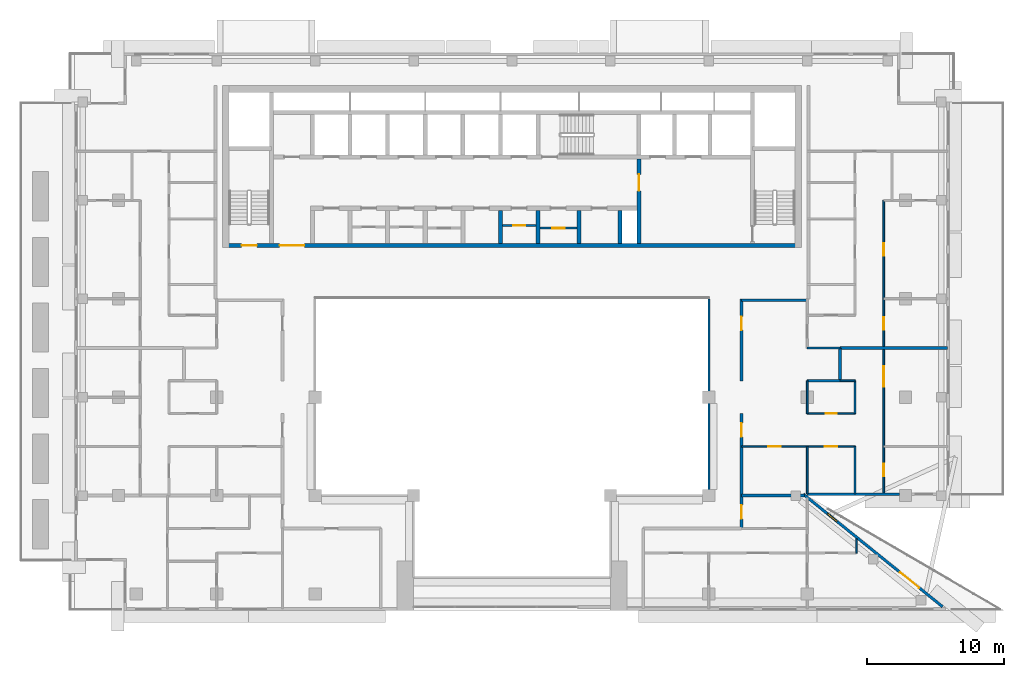
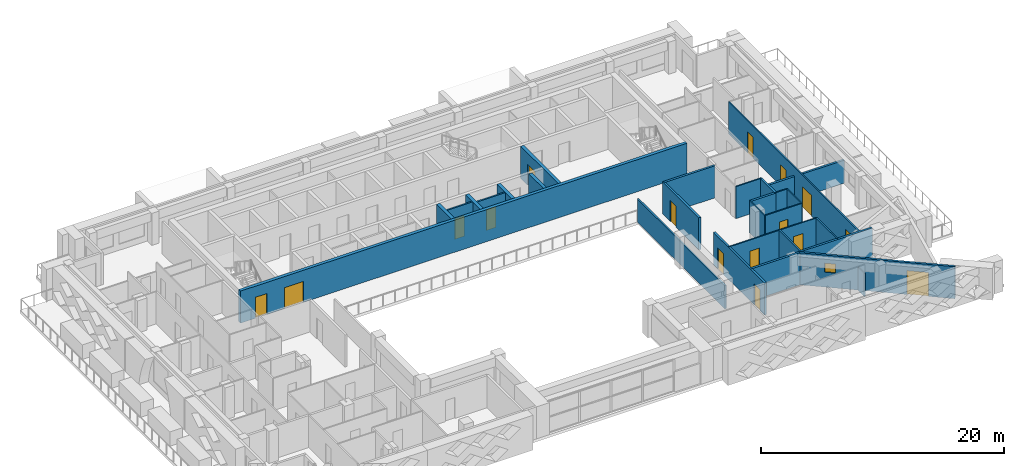
# One storey, part 9 of 19: 28 walls, 16 doors, 1 window, 17 openings.
"""IFC4 building model written with IfcOpenShell, lengths in metres."""

import ifcopenshell
import ifcopenshell.guid

model = None  # the IFC model being written
_history = None  # IfcOwnerHistory: only IFC2X3 demands one
_inside = {}  # id of a spatial element -> (the spatial element, [elements in it])
_under = {}  # id of a project, library or spatial element -> (it, [spatial elements below it])
_declared = {}  # id of a project -> (the project, [libraries it declares])
_typed = {}  # id of a type object -> (the type object, [elements of that type])
_made_of = {}  # id of a material, layer set ... -> (it, [elements and type objects made of it])


def new_model(schema):
    """Start an empty IFC model of exactly this schema.

    Asked for "IFC4X3", IfcOpenShell would pick the latest addendum, in which some entities
    have other attributes; the version numbers below select the first issue.
    IFC2X3 requires an IfcOwnerHistory on every rooted entity: one is made here for all.
    """
    global model, _history
    if schema == "IFC4X3":
        model = ifcopenshell.file(schema_version=(4, 3, 0, 0))
    else:
        model = ifcopenshell.file(schema=schema)
    _inside.clear()
    _under.clear()
    _declared.clear()
    _typed.clear()
    _made_of.clear()
    _history = None
    if model.schema == "IFC2X3":
        org = make("IfcOrganization", Name="unknown")
        user = make(
            "IfcPersonAndOrganization",
            ThePerson=make("IfcPerson", FamilyName="unknown"),
            TheOrganization=org,
        )
        app = make(
            "IfcApplication",
            ApplicationDeveloper=org,
            Version="unknown",
            ApplicationFullName="unknown",
            ApplicationIdentifier="unknown",
        )
        _history = make(
            "IfcOwnerHistory",
            OwningUser=user,
            OwningApplication=app,
            ChangeAction="ADDED",
            CreationDate=0,
        )
    return model


def make(cls, **values):
    """One entity of the class cls with the attributes given. An attribute that is None is left unset."""
    return model.create_entity(
        cls, **{name: value for name, value in values.items() if value is not None}
    )


def rooted(cls, **values):
    """An entity with a GlobalId (a new one), such as an element, a storey or a relation."""
    return make(cls, GlobalId=ifcopenshell.guid.new(), OwnerHistory=_history, **values)


def si_unit(unit_type, name, prefix=None):
    """IfcSIUnit, for example si_unit("LENGTHUNIT", "METRE", prefix="MILLI")."""
    return make("IfcSIUnit", UnitType=unit_type, Prefix=prefix, Name=name)


def assignment(units):
    """IfcUnitAssignment: the units of a project."""
    return None if units is None else make("IfcUnitAssignment", Units=units)


def point(xyz):
    """IfcCartesianPoint."""
    return None if xyz is None else make("IfcCartesianPoint", Coordinates=xyz)


def direction(xyz):
    """IfcDirection."""
    return None if xyz is None else make("IfcDirection", DirectionRatios=xyz)


def frame(location, z_axis=None, x_axis=None):
    """IfcAxis2Placement3D, a coordinate frame: its origin and axes. An axis left out is left unset."""
    return make(
        "IfcAxis2Placement3D",
        Location=point(location),
        Axis=direction(z_axis),
        RefDirection=direction(x_axis),
    )


def frame_2d(location, x_axis=None):
    """IfcAxis2Placement2D, a coordinate frame in the plane: its origin and x axis."""
    return make(
        "IfcAxis2Placement2D", Location=point(location), RefDirection=direction(x_axis)
    )


def origin():
    """The frame at (0, 0, 0) with its axes left unset."""
    return frame((0.0, 0.0, 0.0))


def place(relative_to, where):
    """IfcLocalPlacement: puts the frame where relative to a parent placement (None: the world)."""
    return make(
        "IfcLocalPlacement", PlacementRelTo=relative_to, RelativePlacement=where
    )


def context(
    kind, dimensions, precision=None, world=None, true_north=None, identifier=None
):
    """IfcGeometricRepresentationContext, for example the 3D "Model" context."""
    return make(
        "IfcGeometricRepresentationContext",
        ContextIdentifier=identifier,
        ContextType=kind,
        CoordinateSpaceDimension=dimensions,
        Precision=precision,
        WorldCoordinateSystem=world,
        TrueNorth=true_north,
    )


def subcontext(parent, identifier, kind, view, scale=None):
    """IfcGeometricRepresentationSubContext, for example "Body" below "Model"."""
    return make(
        "IfcGeometricRepresentationSubContext",
        ContextIdentifier=identifier,
        ContextType=kind,
        ParentContext=parent,
        TargetScale=scale,
        TargetView=view,
    )


def project(units=None, contexts=None):
    """IfcProject with its units and contexts."""
    return rooted(
        "IfcProject",
        Name="project",
        RepresentationContexts=contexts,
        UnitsInContext=assignment(units),
    )


def spatial(cls, under=None, at=None, **own):
    """A site, building, storey or space (cls), placed at a placement, below another one or the project."""
    s = rooted(cls, ObjectPlacement=at, **own)
    if under is not None:
        _under.setdefault(under.id(), (under, []))[1].append(s)
    return s


def profile(cls, at=None, kind="AREA", **sizes):
    """A parametric profile (cls). Its sizes go by their IFC names, for example OverallWidth=200.0."""
    return make(cls, ProfileType=kind, Position=at, **sizes)


def rectangle(**sizes):
    """IfcRectangleProfileDef."""
    return profile("IfcRectangleProfileDef", **sizes)


def extrude(swept, where, along, depth):
    """IfcExtrudedAreaSolid: the profile swept, set in the frame where, extruded along a direction by depth."""
    return make(
        "IfcExtrudedAreaSolid",
        SweptArea=swept,
        Position=where,
        ExtrudedDirection=direction(along),
        Depth=depth,
    )


def shape(context_of_items, identifier, shape_type, items):
    """IfcShapeRepresentation: the items that make up one representation, for example the "Body"."""
    return make(
        "IfcShapeRepresentation",
        ContextOfItems=context_of_items,
        RepresentationIdentifier=identifier,
        RepresentationType=shape_type,
        Items=items,
    )


def material(Name=None, Category=None):
    """IfcMaterial."""
    return make("IfcMaterial", Name=Name, Category=Category)


def layer(
    of_material, thickness, ventilated=None, Name=None, Category=None, Priority=None
):
    """IfcMaterialLayer: one layer of a wall or slab, of a material (None: an air gap)."""
    return make(
        "IfcMaterialLayer",
        Material=of_material,
        LayerThickness=thickness,
        IsVentilated=ventilated,
        Name=Name,
        Category=Category,
        Priority=Priority,
    )


def layer_set(layers, Name=None):
    """IfcMaterialLayerSet."""
    return make("IfcMaterialLayerSet", MaterialLayers=layers, LayerSetName=Name)


def made_of(thing, what):
    """Note that an element or type object is made of a material, layer set ...; save() writes the relation."""
    if what is not None:
        _made_of.setdefault(what.id(), (what, []))[1].append(thing)
    return thing


def type_object(cls, material=None, **own):
    """A type object (cls), such as IfcWallType, which elements share."""
    return made_of(rooted(cls, **own), material)


def element(
    cls,
    number,
    at=None,
    inside=None,
    cuts=None,
    type_object=None,
    material=None,
    context=None,
    identifier="Body",
    shape_type=None,
    held_by="IfcProductDefinitionShape",
    body=None,
    shapes=None,
    **own,
):
    """One element of the class cls, such as IfcWall. Its Tag is "e" and its number.

    at: its placement. inside: the storey or other place that contains it. cuts: it is an
    opening in that element (IfcRelVoidsElement). A single representation is given by context,
    identifier, shape_type and body (its items); several are given by shapes. held_by: the class
    of the entity that holds the representations. save() writes the other relations.
    """
    e = rooted(cls, Tag="e%d" % number, ObjectPlacement=at, **own)
    if body is not None:
        shapes = [shape(context, identifier, shape_type, body)]
    if shapes is not None:
        e.Representation = make(held_by, Representations=shapes)
    if inside is not None:
        _inside.setdefault(inside.id(), (inside, []))[1].append(e)
    if cuts is not None:
        rooted(
            "IfcRelVoidsElement", RelatingBuildingElement=cuts, RelatedOpeningElement=e
        )
    if type_object is not None:
        _typed.setdefault(type_object.id(), (type_object, []))[1].append(e)
    return made_of(e, material)


def fill(opening, filler):
    """IfcRelFillsElement: the door or window that sits in an opening."""
    return rooted(
        "IfcRelFillsElement",
        RelatingOpeningElement=opening,
        RelatedBuildingElement=filler,
    )


def aggregate(whole, parts):
    """IfcRelAggregates: a whole, such as a stair, and the parts it consists of."""
    return rooted("IfcRelAggregates", RelatingObject=whole, RelatedObjects=parts)


def save(model, path):
    """Write the relations noted so far, then the file.

    IfcRelAggregates (storeys below a building ...), IfcRelContainedInSpatialStructure (elements
    in a storey), IfcRelDefinesByType, IfcRelAssociatesMaterial and IfcRelDeclares: one each for
    every whole, place, type object, material and project.
    """
    for whole, parts in _under.values():
        aggregate(whole, parts)
    for where, things in _inside.values():
        rooted(
            "IfcRelContainedInSpatialStructure",
            RelatedElements=things,
            RelatingStructure=where,
        )
    for kind, things in _typed.values():
        rooted("IfcRelDefinesByType", RelatedObjects=things, RelatingType=kind)
    for what, things in _made_of.values():
        rooted("IfcRelAssociatesMaterial", RelatedObjects=things, RelatingMaterial=what)
    for by, libraries in _declared.values():
        rooted("IfcRelDeclares", RelatingContext=by, RelatedDefinitions=libraries)
    model.write(path)


model = new_model("IFC4")

# Units and contexts
model_context = context("Model", 3, precision=1e-05, world=origin(), true_north=direction((0.0, 1.0)))
body_context = subcontext(model_context, "Body", "Model", "MODEL_VIEW")
ifc_project = project(units=[si_unit("LENGTHUNIT", "METRE"), si_unit("AREAUNIT", "SQUARE_METRE"), si_unit("VOLUMEUNIT", "CUBIC_METRE"), si_unit("PLANEANGLEUNIT", "RADIAN"), si_unit("MASSUNIT", "GRAM", prefix="KILO")], contexts=[model_context])

# Site, building, storey
site_placement = place(None, origin())
site = spatial("IfcSite", under=ifc_project, at=site_placement, CompositionType="ELEMENT")
building_placement = place(site_placement, origin())
building = spatial("IfcBuilding", under=site, at=building_placement, Name="Saffron Iwan Residences", CompositionType="ELEMENT")
storey_placement = place(building_placement, frame((0.0, 0.0, 211.5)))
storey = spatial("IfcBuildingStorey", under=building, at=storey_placement, Name="L56", CompositionType="ELEMENT", Elevation=211.5)

# Wall
ifc_material_1 = material(Name="Fire-rated glazing", Category="glass")
ifc_layer_1 = layer(ifc_material_1, 0.14990234375)
ifc_layer_set_1 = layer_set([ifc_layer_1], Name="Fire-rated glazing")
wall_type_1 = type_object("IfcWallType", Name="Atrium glazed screen 150", PredefinedType="SOLIDWALL", material=ifc_layer_set_1)
wall_1_placement = place(storey_placement, frame((64.800048828125, 48.0, 0.0), z_axis=(0.0, 0.0, 1.0), x_axis=(0.0, 1.0, 0.0)))
element("IfcWall", 1, at=wall_1_placement, inside=storey, type_object=wall_type_1, Name="W-L56-SCREEN-v64.8-48", PredefinedType="SOLIDWALL", context=body_context, shape_type="SweptSolid", body=[
    extrude(rectangle(XDim=14.39990234375, YDim=0.14990234375, at=frame_2d((7.199951171875, 0.0))), origin(), (0.0, 0.0, 1.0), 2.320068359375),
])

# Wall, opening, door
ifc_material_2 = material(Name="Fire-rated plasterboard partition")
ifc_layer_2 = layer(ifc_material_2, 0.14990234375)
ifc_layer_set_2 = layer_set([ifc_layer_2], Name="Fire-rated plasterboard partition")
wall_type_2 = type_object("IfcWallType", Name="Core partition 150", PredefinedType="PARTITIONING", material=ifc_layer_set_2)
wall_2_placement = place(storey_placement, frame((49.699951171875, 67.759521484375, 0.0), z_axis=(0.0, 0.0, 1.0), x_axis=(1.0, 0.0, 0.0)))
wall_2 = element("IfcWall", 2, at=wall_2_placement, inside=storey, type_object=wall_type_2, Name="Core partition P04", PredefinedType="PARTITIONING", context=body_context, shape_type="SweptSolid", body=[
    extrude(rectangle(XDim=2.449951171875, YDim=0.14990234375, at=frame_2d((1.22509765625, 0.0))), origin(), (0.0, 0.0, 1.0), 3.219970703125),
])
opening_1_placement = place(wall_2_placement, frame((0.77490234375, 0.0, 0.0)))
opening_1 = element("IfcOpeningElement", 3, at=opening_1_placement, cuts=wall_2, Name="Opening SB", PredefinedType="OPENING", context=body_context, shape_type="SweptSolid", body=[
    extrude(rectangle(XDim=0.89990234375, YDim=2.10009765625, at=frame_2d((0.449951171875, 1.050048828125))), frame((0.0, 0.0849609375, 0.0), z_axis=(0.0, -1.0, 0.0), x_axis=(1.0, 0.0, 0.0)), (0.0, 0.0, 1.0), 0.169921875),
])
ifc_material_3 = material(Name="Steel fire door", Category="steel")
door_type_1 = type_object("IfcDoorType", Name="Store door 900", OperationType="NOTDEFINED", PredefinedType="DOOR", material=ifc_material_3)
door_1_placement = place(opening_1_placement, origin())
door_1 = element("IfcDoor", 4, at=door_1_placement, inside=storey, type_object=door_type_1, Name="Door Equipment store", OperationType="SINGLE_SWING_RIGHT", OverallHeight=2.10009765625, OverallWidth=0.89990234375, PredefinedType="DOOR", context=body_context, shape_type="SweptSolid", body=[
    extrude(rectangle(XDim=0.89990234375, YDim=2.10009765625, at=frame_2d((0.449951171875, 1.050048828125))), frame((0.0, 0.02490234375, 0.0), z_axis=(0.0, -1.0, 0.0), x_axis=(1.0, 0.0, 0.0)), (0.0, 0.0, 1.0), 0.050048828125),
])
fill(opening_1, door_1)

wall_3_placement = place(storey_placement, frame((52.449951171875, 67.5654296875, 0.0), z_axis=(0.0, 0.0, 1.0), x_axis=(1.0, 0.0, 0.0)))
wall_3 = element("IfcWall", 5, at=wall_3_placement, inside=storey, type_object=wall_type_2, Name="Core partition P05", PredefinedType="PARTITIONING", context=body_context, shape_type="SweptSolid", body=[
    extrude(rectangle(XDim=2.699951171875, YDim=0.14990234375, at=frame_2d((1.35009765625, 0.0))), origin(), (0.0, 0.0, 1.0), 3.219970703125),
])
opening_2_placement = place(wall_3_placement, frame((0.89990234375, 0.0, 0.0)))
opening_2 = element("IfcOpeningElement", 6, at=opening_2_placement, cuts=wall_3, Name="Opening SB", PredefinedType="OPENING", context=body_context, shape_type="SweptSolid", body=[
    extrude(rectangle(XDim=0.89990234375, YDim=2.10009765625, at=frame_2d((0.449951171875, 1.050048828125))), frame((0.0, 0.0849609375, 0.0), z_axis=(0.0, -1.0, 0.0), x_axis=(1.0, 0.0, 0.0)), (0.0, 0.0, 1.0), 0.169921875),
])
door_2_placement = place(opening_2_placement, origin())
door_2 = element("IfcDoor", 7, at=door_2_placement, inside=storey, type_object=door_type_1, Name="Door Records store", OperationType="SINGLE_SWING_RIGHT", OverallHeight=2.10009765625, OverallWidth=0.89990234375, PredefinedType="DOOR", context=body_context, shape_type="SweptSolid", body=[
    extrude(rectangle(XDim=0.89990234375, YDim=2.10009765625, at=frame_2d((0.449951171875, 1.050048828125))), frame((0.0, 0.02490234375, 0.0), z_axis=(0.0, -1.0, 0.0), x_axis=(1.0, 0.0, 0.0)), (0.0, 0.0, 1.0), 0.050048828125),
])
fill(opening_2, door_2)

# Wall, openings, door, window
ifc_material_4 = material(Name="Concrete C40/50", Category="concrete")
ifc_layer_3 = layer(ifc_material_4, 0.199951171875)
ifc_layer_set_3 = layer_set([ifc_layer_3], Name="Concrete C40/50")
wall_type_3 = type_object("IfcWallType", Name="EXTERNAL WALL 200", PredefinedType="SOLIDWALL", material=ifc_layer_set_3)
wall_4_placement = place(storey_placement, frame((81.906982421875, 39.86962890625, 0.0), z_axis=(0.0, 0.0, 1.0), x_axis=(-0.777936274417, 0.62834318087, 0.0)))
wall_4 = element("IfcWall", 8, at=wall_4_placement, inside=storey, type_object=wall_type_3, Name="External wall L56 F0.0", PredefinedType="SOLIDWALL", context=body_context, shape_type="SweptSolid", body=[
    extrude(rectangle(XDim=13.0986328125, YDim=0.199951171875, at=frame_2d((6.54931640625, 0.0))), origin(), (0.0, 0.0, 1.0), 3.219970703125),
])
opening_3_placement = place(wall_4_placement, frame((2.200927734375, 0.0, 0.0)))
opening_3 = element("IfcOpeningElement", 9, at=opening_3_placement, cuts=wall_4, Name="Opening BD1", PredefinedType="OPENING", context=body_context, shape_type="SweptSolid", body=[
    extrude(rectangle(XDim=1.800048828125, YDim=2.39990234375, at=frame_2d((0.89990234375, 1.199951171875))), frame((0.0, 0.10986328125, 0.0), z_axis=(0.0, -1.0, 0.0), x_axis=(1.0, 0.0, 0.0)), (0.0, 0.0, 1.0), 0.219970703125),
])
opening_4_placement = place(wall_4_placement, frame((9.9384765625, 0.0, 1.5)))
opening_4 = element("IfcOpeningElement", 10, at=opening_4_placement, cuts=wall_4, Name="Opening W6", PredefinedType="OPENING", context=body_context, shape_type="SweptSolid", body=[
    extrude(rectangle(XDim=0.89990234375, YDim=0.89990234375, at=frame_2d((0.449951171875, 0.449951171875))), frame((0.0, 0.10986328125, 0.0), z_axis=(0.0, -1.0, 0.0), x_axis=(1.0, 0.0, 0.0)), (0.0, 0.0, 1.0), 0.219970703125),
])
ifc_material_5 = material(Name="Clear glass, laminated double glazed", Category="glass")
door_type_2 = type_object("IfcDoorType", Name="BALCONY DOOR 1800 x 2400", OperationType="DOUBLE_DOOR_SLIDING", PredefinedType="DOOR", material=ifc_material_5)
door_3_placement = place(opening_3_placement, origin())
door_3 = element("IfcDoor", 11, at=door_3_placement, inside=storey, type_object=door_type_2, Name="Balcony door L56 F0.0", OperationType="DOUBLE_DOOR_SLIDING", OverallHeight=2.39990234375, OverallWidth=1.800048828125, PredefinedType="DOOR", context=body_context, shape_type="SweptSolid", body=[
    extrude(rectangle(XDim=1.800048828125, YDim=2.39990234375, at=frame_2d((0.89990234375, 1.199951171875))), frame((0.0, 0.02490234375, 0.0), z_axis=(0.0, -1.0, 0.0), x_axis=(1.0, 0.0, 0.0)), (0.0, 0.0, 1.0), 0.050048828125),
])
fill(opening_3, door_3)
window_type = type_object("IfcWindowType", Name="WINDOW 900 x 900 BATH", PartitioningType="SINGLE_PANEL", PredefinedType="WINDOW", material=ifc_material_5)
window_placement = place(opening_4_placement, origin())
window = element("IfcWindow", 12, at=window_placement, inside=storey, type_object=window_type, Name="Window L56 F0.1", OverallHeight=0.89990234375, OverallWidth=0.89990234375, PartitioningType="SINGLE_PANEL", PredefinedType="WINDOW", context=body_context, shape_type="SweptSolid", body=[
    extrude(rectangle(XDim=0.89990234375, YDim=0.89990234375, at=frame_2d((0.449951171875, 0.449951171875))), frame((0.0, 0.030029296875, 0.0), z_axis=(0.0, -1.0, 0.0), x_axis=(1.0, 0.0, 0.0)), (0.0, 0.0, 1.0), 0.06005859375),
])
fill(opening_4, window)

# Walls
wall_5_placement = place(storey_placement, frame((71.987060546875, 48.10009765625, 0.0), z_axis=(0.0, 0.0, 1.0), x_axis=(1.0, 0.0, 0.0)))
element("IfcWall", 13, at=wall_5_placement, inside=storey, type_object=wall_type_3, Name="External wall L56 F1.0", PredefinedType="SOLIDWALL", context=body_context, shape_type="SweptSolid", body=[
    extrude(rectangle(XDim=6.762939453125, YDim=0.199951171875, at=frame_2d((3.38134765625, 0.0))), origin(), (0.0, 0.0, 1.0), 3.219970703125),
])
ifc_material_6 = material(Name="Fire-rated gypsum board wall")
ifc_layer_4 = layer(ifc_material_6, 0.199951171875)
ifc_layer_set_4 = layer_set([ifc_layer_4], Name="Fire-rated gypsum board wall")
wall_type_4 = type_object("IfcWallType", Name="Flat demising wall 200", PredefinedType="SOLIDWALL", material=ifc_layer_set_4)
wall_6_placement = place(storey_placement, frame((67.199951171875, 48.0, 0.0), z_axis=(0.0, 0.0, 1.0), x_axis=(1.0, 0.0, 0.0)))
element("IfcWall", 14, at=wall_6_placement, inside=storey, type_object=wall_type_4, Name="W-L56-DEMISE-h48-67.2", PredefinedType="SOLIDWALL", context=body_context, shape_type="SweptSolid", body=[
    extrude(rectangle(XDim=4.60107421875, YDim=0.199951171875, at=frame_2d((2.300537109375, 0.0))), origin(), (0.0, 0.0, 1.0), 3.219970703125),
])
wall_7_placement = place(storey_placement, frame((72.0, 56.39990234375, 0.0), z_axis=(0.0, 0.0, 1.0), x_axis=(1.0, 0.0, 0.0)))
element("IfcWall", 15, at=wall_7_placement, inside=storey, type_object=wall_type_4, Name="W-L56-DEMISE-h56.4-72", PredefinedType="SOLIDWALL", context=body_context, shape_type="SweptSolid", body=[
    extrude(rectangle(XDim=2.39990234375, YDim=0.199951171875, at=frame_2d((1.199951171875, 0.0))), origin(), (0.0, 0.0, 1.0), 3.219970703125),
])
wall_8_placement = place(storey_placement, frame((74.39990234375, 58.800048828125, 0.0), z_axis=(0.0, 0.0, 1.0), x_axis=(1.0, 0.0, 0.0)))
element("IfcWall", 16, at=wall_8_placement, inside=storey, type_object=wall_type_4, Name="W-L56-DEMISE-h58.8-74.4", PredefinedType="SOLIDWALL", context=body_context, shape_type="SweptSolid", body=[
    extrude(rectangle(XDim=7.875, YDim=0.199951171875, at=frame_2d((3.9375, 0.0))), origin(), (0.0, 0.0, 1.0), 2.320068359375),
])
wall_9_placement = place(storey_placement, frame((74.39990234375, 56.39990234375, 0.0), z_axis=(0.0, 0.0, 1.0), x_axis=(0.0, 1.0, 0.0)))
element("IfcWall", 17, at=wall_9_placement, inside=storey, type_object=wall_type_4, Name="W-L56-DEMISE-v74.4-56.4", PredefinedType="SOLIDWALL", context=body_context, shape_type="SweptSolid", body=[
    extrude(rectangle(XDim=2.400146484375, YDim=0.199951171875, at=frame_2d((1.2001953125, 0.0))), origin(), (0.0, 0.0, 1.0), 3.219970703125),
])

# Wall, openings, doors
ifc_material_7 = material(Name="Gypsum board partition")
ifc_layer_5 = layer(ifc_material_7, 0.1201171875)
ifc_layer_set_5 = layer_set([ifc_layer_5], Name="Gypsum board partition")
wall_type_5 = type_object("IfcWallType", Name="Flat partition 120", PredefinedType="PARTITIONING", material=ifc_layer_set_5)
wall_10_placement = place(storey_placement, frame((67.199951171875, 51.60009765625, 0.0), z_axis=(0.0, 0.0, 1.0), x_axis=(1.0, 0.0, 0.0)))
wall_10 = element("IfcWall", 18, at=wall_10_placement, inside=storey, type_object=wall_type_5, Name="W-L56-PART-h51.6-67.2", PredefinedType="PARTITIONING", context=body_context, shape_type="SweptSolid", body=[
    extrude(rectangle(XDim=8.300048828125, YDim=0.1201171875, at=frame_2d((4.14990234375, 0.0))), origin(), (0.0, 0.0, 1.0), 3.219970703125),
])
opening_5_placement = place(wall_10_placement, frame((6.10009765625, 0.0, 0.0)))
opening_5 = element("IfcOpeningElement", 19, at=opening_5_placement, cuts=wall_10, Name="Opening FD2", PredefinedType="OPENING", context=body_context, shape_type="SweptSolid", body=[
    extrude(rectangle(XDim=0.89990234375, YDim=2.10009765625, at=frame_2d((0.449951171875, 1.050048828125))), frame((0.0, 0.070068359375, 0.0), z_axis=(0.0, -1.0, 0.0), x_axis=(1.0, 0.0, 0.0)), (0.0, 0.0, 1.0), 0.14013671875),
])
opening_6_placement = place(wall_10_placement, frame((1.949951171875, 0.0, 0.0)))
opening_6 = element("IfcOpeningElement", 20, at=opening_6_placement, cuts=wall_10, Name="Opening FD2", PredefinedType="OPENING", context=body_context, shape_type="SweptSolid", body=[
    extrude(rectangle(XDim=0.89990234375, YDim=2.10009765625, at=frame_2d((0.449951171875, 1.050048828125))), frame((0.0, 0.070068359375, 0.0), z_axis=(0.0, -1.0, 0.0), x_axis=(1.0, 0.0, 0.0)), (0.0, 0.0, 1.0), 0.14013671875),
])
ifc_material_8 = material(Name="Timber door", Category="wood")
door_type_3 = type_object("IfcDoorType", Name="Flat door 900", OperationType="NOTDEFINED", PredefinedType="DOOR", material=ifc_material_8)
door_4_placement = place(opening_5_placement, origin())
door_4 = element("IfcDoor", 21, at=door_4_placement, inside=storey, type_object=door_type_3, Name="Door L56-017", OperationType="SINGLE_SWING_RIGHT", OverallHeight=2.10009765625, OverallWidth=0.89990234375, PredefinedType="DOOR", context=body_context, shape_type="SweptSolid", body=[
    extrude(rectangle(XDim=0.89990234375, YDim=2.10009765625, at=frame_2d((0.449951171875, 1.050048828125))), frame((0.0, 0.02490234375, 0.0), z_axis=(0.0, -1.0, 0.0), x_axis=(1.0, 0.0, 0.0)), (0.0, 0.0, 1.0), 0.050048828125),
])
fill(opening_5, door_4)
door_5_placement = place(opening_6_placement, origin())
door_5 = element("IfcDoor", 22, at=door_5_placement, inside=storey, type_object=door_type_3, Name="Door L56-019", OperationType="SINGLE_SWING_LEFT", OverallHeight=2.10009765625, OverallWidth=0.89990234375, PredefinedType="DOOR", context=body_context, shape_type="SweptSolid", body=[
    extrude(rectangle(XDim=0.89990234375, YDim=2.10009765625, at=frame_2d((0.449951171875, 1.050048828125))), frame((0.0, 0.02490234375, 0.0), z_axis=(0.0, -1.0, 0.0), x_axis=(1.0, 0.0, 0.0)), (0.0, 0.0, 1.0), 0.050048828125),
])
fill(opening_6, door_5)

# Wall, opening, door
wall_11_placement = place(storey_placement, frame((72.0, 54.0, 0.0), z_axis=(0.0, 0.0, 1.0), x_axis=(1.0, 0.0, 0.0)))
wall_11 = element("IfcWall", 23, at=wall_11_placement, inside=storey, type_object=wall_type_5, Name="W-L56-PART-h54-72", PredefinedType="PARTITIONING", context=body_context, shape_type="SweptSolid", body=[
    extrude(rectangle(XDim=3.5, YDim=0.1201171875, at=frame_2d((1.75, 0.0))), origin(), (0.0, 0.0, 1.0), 3.219970703125),
])
opening_7_placement = place(wall_11_placement, frame((1.35009765625, 0.0, 0.0)))
opening_7 = element("IfcOpeningElement", 24, at=opening_7_placement, cuts=wall_11, Name="Opening FD3", PredefinedType="OPENING", context=body_context, shape_type="SweptSolid", body=[
    extrude(rectangle(XDim=0.800048828125, YDim=2.10009765625, at=frame_2d((0.39990234375, 1.050048828125))), frame((0.0, 0.070068359375, 0.0), z_axis=(0.0, -1.0, 0.0), x_axis=(1.0, 0.0, 0.0)), (0.0, 0.0, 1.0), 0.14013671875),
])
door_type_4 = type_object("IfcDoorType", Name="Bathroom door 800", OperationType="NOTDEFINED", PredefinedType="DOOR", material=ifc_material_8)
door_6_placement = place(opening_7_placement, origin())
door_6 = element("IfcDoor", 25, at=door_6_placement, inside=storey, type_object=door_type_4, Name="Door L56-018", OperationType="SINGLE_SWING_LEFT", OverallHeight=2.10009765625, OverallWidth=0.800048828125, PredefinedType="DOOR", context=body_context, shape_type="SweptSolid", body=[
    extrude(rectangle(XDim=0.800048828125, YDim=2.10009765625, at=frame_2d((0.39990234375, 1.050048828125))), frame((0.0, 0.02490234375, 0.0), z_axis=(0.0, -1.0, 0.0), x_axis=(1.0, 0.0, 0.0)), (0.0, 0.0, 1.0), 0.050048828125),
])
fill(opening_7, door_6)

# Walls
wall_12_placement = place(storey_placement, frame((74.39990234375, 56.39990234375, 0.0), z_axis=(0.0, 0.0, 1.0), x_axis=(1.0, 0.0, 0.0)))
element("IfcWall", 26, at=wall_12_placement, inside=storey, type_object=wall_type_5, Name="W-L56-PART-h56.4-74.4", PredefinedType="PARTITIONING", context=body_context, shape_type="SweptSolid", body=[
    extrude(rectangle(XDim=1.10009765625, YDim=0.1201171875, at=frame_2d((0.550048828125, 0.0))), origin(), (0.0, 0.0, 1.0), 3.219970703125),
])
wall_13_placement = place(storey_placement, frame((72.0, 58.800048828125, 0.0), z_axis=(0.0, 0.0, 1.0), x_axis=(1.0, 0.0, 0.0)))
element("IfcWall", 27, at=wall_13_placement, inside=storey, type_object=wall_type_5, Name="W-L56-PART-h58.8-72", PredefinedType="PARTITIONING", context=body_context, shape_type="SweptSolid", body=[
    extrude(rectangle(XDim=2.39990234375, YDim=0.1201171875, at=frame_2d((1.199951171875, 0.0))), origin(), (0.0, 0.0, 1.0), 3.219970703125),
])
wall_14_placement = place(storey_placement, frame((72.0, 48.125, 0.0), z_axis=(0.0, 0.0, 1.0), x_axis=(0.0, 1.0, 0.0)))
element("IfcWall", 28, at=wall_14_placement, inside=storey, type_object=wall_type_5, Name="W-L56-PART-v72-48.125", PredefinedType="PARTITIONING", context=body_context, shape_type="SweptSolid", body=[
    extrude(rectangle(XDim=3.47509765625, YDim=0.1201171875, at=frame_2d((1.737548828125, 0.0))), origin(), (0.0, 0.0, 1.0), 3.219970703125),
])
wall_15_placement = place(storey_placement, frame((72.0, 54.0, 0.0), z_axis=(0.0, 0.0, 1.0), x_axis=(0.0, 1.0, 0.0)))
element("IfcWall", 29, at=wall_15_placement, inside=storey, type_object=wall_type_5, Name="W-L56-PART-v72-54", PredefinedType="PARTITIONING", context=body_context, shape_type="SweptSolid", body=[
    extrude(rectangle(XDim=2.39990234375, YDim=0.1201171875, at=frame_2d((1.199951171875, 0.0))), origin(), (0.0, 0.0, 1.0), 3.219970703125),
])
wall_16_placement = place(storey_placement, frame((75.5, 48.125, 0.0), z_axis=(0.0, 0.0, 1.0), x_axis=(0.0, 1.0, 0.0)))
element("IfcWall", 30, at=wall_16_placement, inside=storey, type_object=wall_type_5, Name="W-L56-PART-v75.5-48.125", PredefinedType="PARTITIONING", context=body_context, shape_type="SweptSolid", body=[
    extrude(rectangle(XDim=3.47509765625, YDim=0.1201171875, at=frame_2d((1.737548828125, 0.0))), origin(), (0.0, 0.0, 1.0), 3.219970703125),
])
wall_17_placement = place(storey_placement, frame((75.5, 54.0, 0.0), z_axis=(0.0, 0.0, 1.0), x_axis=(0.0, 1.0, 0.0)))
element("IfcWall", 31, at=wall_17_placement, inside=storey, type_object=wall_type_5, Name="W-L56-PART-v75.5-54", PredefinedType="PARTITIONING", context=body_context, shape_type="SweptSolid", body=[
    extrude(rectangle(XDim=2.39990234375, YDim=0.1201171875, at=frame_2d((1.199951171875, 0.0))), origin(), (0.0, 0.0, 1.0), 3.219970703125),
])
wall_18_placement = place(storey_placement, frame((75.60009765625, 43.800048828125, 0.0), z_axis=(0.0, 0.0, 1.0), x_axis=(0.0, 1.0, 0.0)))
element("IfcWall", 32, at=wall_18_placement, inside=storey, type_object=wall_type_5, Name="W-L56-PART-v75.6-43.8", PredefinedType="PARTITIONING", context=body_context, shape_type="SweptSolid", body=[
    extrude(rectangle(XDim=1.03515625, YDim=0.1201171875, at=frame_2d((0.517578125, 0.0))), origin(), (0.0, 0.0, 1.0), 2.320068359375),
])

# Wall, openings, doors
wall_19_placement = place(storey_placement, frame((77.60009765625, 48.125, 0.0), z_axis=(0.0, 0.0, 1.0), x_axis=(0.0, 1.0, 0.0)))
wall_19 = element("IfcWall", 33, at=wall_19_placement, inside=storey, type_object=wall_type_5, Name="W-L56-PART-v77.6-48.125", PredefinedType="PARTITIONING", context=body_context, shape_type="SweptSolid", body=[
    extrude(rectangle(XDim=21.47509765625, YDim=0.1201171875, at=frame_2d((10.737548828125, 0.0))), origin(), (0.0, 0.0, 1.0), 3.219970703125),
])
opening_8_placement = place(wall_19_placement, frame((1.28759765625, 0.0, 0.0)))
opening_8 = element("IfcOpeningElement", 34, at=opening_8_placement, cuts=wall_19, Name="Opening FD2", PredefinedType="OPENING", context=body_context, shape_type="SweptSolid", body=[
    extrude(rectangle(XDim=0.89990234375, YDim=2.10009765625, at=frame_2d((0.449951171875, 1.050048828125))), frame((0.0, 0.070068359375, 0.0), z_axis=(0.0, -1.0, 0.0), x_axis=(1.0, 0.0, 0.0)), (0.0, 0.0, 1.0), 0.14013671875),
])
opening_9_placement = place(wall_19_placement, frame((7.824951171875, 0.0, 0.0)))
opening_9 = element("IfcOpeningElement", 35, at=opening_9_placement, cuts=wall_19, Name="Opening FD4", PredefinedType="OPENING", context=body_context, shape_type="SweptSolid", body=[
    extrude(rectangle(XDim=1.5, YDim=2.10009765625, at=frame_2d((0.75, 1.050048828125))), frame((0.0, 0.070068359375, 0.0), z_axis=(0.0, -1.0, 0.0), x_axis=(1.0, 0.0, 0.0)), (0.0, 0.0, 1.0), 0.14013671875),
])
opening_10_placement = place(wall_19_placement, frame((12.02490234375, 0.0, 0.0)))
opening_10 = element("IfcOpeningElement", 36, at=opening_10_placement, cuts=wall_19, Name="Opening FD2", PredefinedType="OPENING", context=body_context, shape_type="SweptSolid", body=[
    extrude(rectangle(XDim=0.89990234375, YDim=2.10009765625, at=frame_2d((0.449951171875, 1.050048828125))), frame((0.0, 0.070068359375, 0.0), z_axis=(0.0, -1.0, 0.0), x_axis=(1.0, 0.0, 0.0)), (0.0, 0.0, 1.0), 0.14013671875),
])
opening_11_placement = place(wall_19_placement, frame((17.425048828125, 0.0, 0.0)))
opening_11 = element("IfcOpeningElement", 37, at=opening_11_placement, cuts=wall_19, Name="Opening FD2", PredefinedType="OPENING", context=body_context, shape_type="SweptSolid", body=[
    extrude(rectangle(XDim=0.89990234375, YDim=2.10009765625, at=frame_2d((0.449951171875, 1.050048828125))), frame((0.0, 0.070068359375, 0.0), z_axis=(0.0, -1.0, 0.0), x_axis=(1.0, 0.0, 0.0)), (0.0, 0.0, 1.0), 0.14013671875),
])
door_type_5 = type_object("IfcDoorType", Name="Double door 1500", OperationType="NOTDEFINED", PredefinedType="DOOR", material=ifc_material_8)
door_7_placement = place(opening_9_placement, origin())
door_7 = element("IfcDoor", 38, at=door_7_placement, inside=storey, type_object=door_type_5, Name="Door L56-016", OperationType="SINGLE_SWING_RIGHT", OverallHeight=2.10009765625, OverallWidth=1.5, PredefinedType="DOOR", context=body_context, shape_type="SweptSolid", body=[
    extrude(rectangle(XDim=1.5, YDim=2.10009765625, at=frame_2d((0.75, 1.050048828125))), frame((0.0, 0.02490234375, 0.0), z_axis=(0.0, -1.0, 0.0), x_axis=(1.0, 0.0, 0.0)), (0.0, 0.0, 1.0), 0.050048828125),
])
fill(opening_9, door_7)
door_8_placement = place(opening_8_placement, origin())
door_8 = element("IfcDoor", 39, at=door_8_placement, inside=storey, type_object=door_type_3, Name="Door L56-015", OperationType="SINGLE_SWING_LEFT", OverallHeight=2.10009765625, OverallWidth=0.89990234375, PredefinedType="DOOR", context=body_context, shape_type="SweptSolid", body=[
    extrude(rectangle(XDim=0.89990234375, YDim=2.10009765625, at=frame_2d((0.449951171875, 1.050048828125))), frame((0.0, 0.02490234375, 0.0), z_axis=(0.0, -1.0, 0.0), x_axis=(1.0, 0.0, 0.0)), (0.0, 0.0, 1.0), 0.050048828125),
])
fill(opening_8, door_8)
door_9_placement = place(opening_10_placement, origin())
door_9 = element("IfcDoor", 40, at=door_9_placement, inside=storey, type_object=door_type_3, Name="Door L56-032", OperationType="SINGLE_SWING_RIGHT", OverallHeight=2.10009765625, OverallWidth=0.89990234375, PredefinedType="DOOR", context=body_context, shape_type="SweptSolid", body=[
    extrude(rectangle(XDim=0.89990234375, YDim=2.10009765625, at=frame_2d((0.449951171875, 1.050048828125))), frame((0.0, 0.02490234375, 0.0), z_axis=(0.0, -1.0, 0.0), x_axis=(1.0, 0.0, 0.0)), (0.0, 0.0, 1.0), 0.050048828125),
])
fill(opening_10, door_9)
door_10_placement = place(opening_11_placement, origin())
door_10 = element("IfcDoor", 41, at=door_10_placement, inside=storey, type_object=door_type_3, Name="Door L56-033", OperationType="SINGLE_SWING_LEFT", OverallHeight=2.10009765625, OverallWidth=0.89990234375, PredefinedType="DOOR", context=body_context, shape_type="SweptSolid", body=[
    extrude(rectangle(XDim=0.89990234375, YDim=2.10009765625, at=frame_2d((0.449951171875, 1.050048828125))), frame((0.0, 0.02490234375, 0.0), z_axis=(0.0, -1.0, 0.0), x_axis=(1.0, 0.0, 0.0)), (0.0, 0.0, 1.0), 0.050048828125),
])
fill(opening_11, door_10)

# Wall
ifc_layer_6 = layer(ifc_material_6, 0.199951171875)
ifc_layer_set_6 = layer_set([ifc_layer_6], Name="Fire-rated gypsum board wall")
wall_type_6 = type_object("IfcWallType", Name="Gallery wall 200", PredefinedType="SOLIDWALL", material=ifc_layer_set_6)
wall_20_placement = place(storey_placement, frame((67.199951171875, 62.300048828125, 0.0), z_axis=(0.0, 0.0, 1.0), x_axis=(1.0, 0.0, 0.0)))
element("IfcWall", 42, at=wall_20_placement, inside=storey, type_object=wall_type_6, Name="W-L56-CORR-h62.4-67.2", PredefinedType="SOLIDWALL", context=body_context, shape_type="SweptSolid", body=[
    extrude(rectangle(XDim=4.800048828125, YDim=0.199951171875, at=frame_2d((2.39990234375, 0.0))), origin(), (0.0, 0.0, 1.0), 3.219970703125),
])

# Wall, openings, doors
wall_21_placement = place(storey_placement, frame((67.199951171875, 45.60009765625, 0.0), z_axis=(0.0, 0.0, 1.0), x_axis=(0.0, 1.0, 0.0)))
wall_21 = element("IfcWall", 43, at=wall_21_placement, inside=storey, type_object=wall_type_6, Name="W-L56-CORR-v67.2-45.6", PredefinedType="SOLIDWALL", context=body_context, shape_type="SweptSolid", body=[
    extrude(rectangle(XDim=8.39990234375, YDim=0.199951171875, at=frame_2d((4.199951171875, 0.0))), origin(), (0.0, 0.0, 1.0), 3.219970703125),
])
opening_12_placement = place(wall_21_placement, frame((6.699951171875, 0.0, 0.0)))
opening_12 = element("IfcOpeningElement", 44, at=opening_12_placement, cuts=wall_21, Name="Opening FD1", PredefinedType="OPENING", context=body_context, shape_type="SweptSolid", body=[
    extrude(rectangle(XDim=1.0, YDim=2.10009765625, at=frame_2d((0.5, 1.050048828125))), frame((0.0, 0.10986328125, 0.0), z_axis=(0.0, -1.0, 0.0), x_axis=(1.0, 0.0, 0.0)), (0.0, 0.0, 1.0), 0.219970703125),
])
opening_13_placement = place(wall_21_placement, frame((0.699951171875, 0.0, 0.0)))
opening_13 = element("IfcOpeningElement", 45, at=opening_13_placement, cuts=wall_21, Name="Opening FD5", PredefinedType="OPENING", context=body_context, shape_type="SweptSolid", body=[
    extrude(rectangle(XDim=1.0, YDim=2.10009765625, at=frame_2d((0.5, 1.050048828125))), frame((0.0, 0.10986328125, 0.0), z_axis=(0.0, -1.0, 0.0), x_axis=(1.0, 0.0, 0.0)), (0.0, 0.0, 1.0), 0.219970703125),
])
ifc_material_9 = material(Name="Fire-rated timber door", Category="wood")
door_type_6 = type_object("IfcDoorType", Name="FD30S flat entrance door 1000", OperationType="NOTDEFINED", PredefinedType="DOOR", material=ifc_material_9)
door_11_placement = place(opening_12_placement, origin())
door_11 = element("IfcDoor", 46, at=door_11_placement, inside=storey, type_object=door_type_6, Name="Door L56-014", OperationType="SINGLE_SWING_RIGHT", OverallHeight=2.10009765625, OverallWidth=1.0, PredefinedType="DOOR", context=body_context, shape_type="SweptSolid", body=[
    extrude(rectangle(XDim=1.0, YDim=2.10009765625, at=frame_2d((0.5, 1.050048828125))), frame((0.0, 0.02490234375, 0.0), z_axis=(0.0, -1.0, 0.0), x_axis=(1.0, 0.0, 0.0)), (0.0, 0.0, 1.0), 0.050048828125),
])
fill(opening_12, door_11)
door_type_7 = type_object("IfcDoorType", Name="Lobby door 1000", OperationType="NOTDEFINED", PredefinedType="DOOR", material=ifc_material_9)
door_12_placement = place(opening_13_placement, origin())
door_12 = element("IfcDoor", 47, at=door_12_placement, inside=storey, type_object=door_type_7, Name="Door L56-042", OperationType="SINGLE_SWING_LEFT", OverallHeight=2.10009765625, OverallWidth=1.0, PredefinedType="DOOR", context=body_context, shape_type="SweptSolid", body=[
    extrude(rectangle(XDim=1.0, YDim=2.10009765625, at=frame_2d((0.5, 1.050048828125))), frame((0.0, 0.02490234375, 0.0), z_axis=(0.0, -1.0, 0.0), x_axis=(1.0, 0.0, 0.0)), (0.0, 0.0, 1.0), 0.050048828125),
])
fill(opening_13, door_12)

# Wall, opening, door
wall_22_placement = place(storey_placement, frame((67.199951171875, 56.39990234375, 0.0), z_axis=(0.0, 0.0, 1.0), x_axis=(0.0, 1.0, 0.0)))
wall_22 = element("IfcWall", 48, at=wall_22_placement, inside=storey, type_object=wall_type_6, Name="W-L56-CORR-v67.2-56.4", PredefinedType="SOLIDWALL", context=body_context, shape_type="SweptSolid", body=[
    extrude(rectangle(XDim=6.0, YDim=0.199951171875, at=frame_2d((3.0, 0.0))), origin(), (0.0, 0.0, 1.0), 3.219970703125),
])
opening_14_placement = place(wall_22_placement, frame((3.699951171875, 0.0, 0.0)))
opening_14 = element("IfcOpeningElement", 49, at=opening_14_placement, cuts=wall_22, Name="Opening FD5", PredefinedType="OPENING", context=body_context, shape_type="SweptSolid", body=[
    extrude(rectangle(XDim=1.0, YDim=2.10009765625, at=frame_2d((0.5, 1.050048828125))), frame((0.0, 0.10986328125, 0.0), z_axis=(0.0, -1.0, 0.0), x_axis=(1.0, 0.0, 0.0)), (0.0, 0.0, 1.0), 0.219970703125),
])
door_13_placement = place(opening_14_placement, origin())
door_13 = element("IfcDoor", 50, at=door_13_placement, inside=storey, type_object=door_type_7, Name="Door L56-031", OperationType="SINGLE_SWING_LEFT", OverallHeight=2.10009765625, OverallWidth=1.0, PredefinedType="DOOR", context=body_context, shape_type="SweptSolid", body=[
    extrude(rectangle(XDim=1.0, YDim=2.10009765625, at=frame_2d((0.5, 1.050048828125))), frame((0.0, 0.02490234375, 0.0), z_axis=(0.0, -1.0, 0.0), x_axis=(1.0, 0.0, 0.0)), (0.0, 0.0, 1.0), 0.050048828125),
])
fill(opening_14, door_13)

# Wall, openings, doors
ifc_layer_7 = layer(ifc_material_4, 0.300048828125)
ifc_layer_set_7 = layer_set([ifc_layer_7], Name="Concrete C40/50")
wall_type_7 = type_object("IfcWallType", Name="WALL CORE 300 C40/50 3220 HIGH", PredefinedType="SHEAR", material=ifc_layer_set_7)
wall_23_placement = place(storey_placement, frame((29.199951171875, 66.300048828125, 0.0), z_axis=(0.0, 0.0, 1.0), x_axis=(1.0, 0.0, 0.0)))
wall_23 = element("IfcWall", 51, at=wall_23_placement, inside=storey, type_object=wall_type_7, Name="Core wall", PredefinedType="SHEAR", context=body_context, shape_type="SweptSolid", body=[
    extrude(rectangle(XDim=42.400146484375, YDim=0.300048828125, at=frame_2d((21.2001953125, 0.0))), origin(), (0.0, 0.0, 1.0), 3.219970703125),
])
opening_15_placement = place(wall_23_placement, frame((1.425048828125, 0.0, 0.0)))
opening_15 = element("IfcOpeningElement", 52, at=opening_15_placement, cuts=wall_23, Name="Opening SD", PredefinedType="OPENING", context=body_context, shape_type="SweptSolid", body=[
    extrude(rectangle(XDim=1.10009765625, YDim=2.10009765625, at=frame_2d((0.550048828125, 1.050048828125))), frame((0.0, 0.16015625, 0.0), z_axis=(0.0, -1.0, 0.0), x_axis=(1.0, 0.0, 0.0)), (0.0, 0.0, 1.0), 0.320068359375),
])
opening_16_placement = place(wall_23_placement, frame((4.199951171875, 0.0, 0.0)))
opening_16 = element("IfcOpeningElement", 53, at=opening_16_placement, cuts=wall_23, Name="Opening DD", PredefinedType="OPENING", context=body_context, shape_type="SweptSolid", body=[
    extrude(rectangle(XDim=1.800048828125, YDim=2.10009765625, at=frame_2d((0.89990234375, 1.050048828125))), frame((0.0, 0.16015625, 0.0), z_axis=(0.0, -1.0, 0.0), x_axis=(1.0, 0.0, 0.0)), (0.0, 0.0, 1.0), 0.320068359375),
])
door_type_8 = type_object("IfcDoorType", Name="Lobby double door 1800", OperationType="DOUBLE_DOOR_SINGLE_SWING", PredefinedType="DOOR", material=ifc_material_3)
door_14_placement = place(opening_16_placement, origin())
door_14 = element("IfcDoor", 54, at=door_14_placement, inside=storey, type_object=door_type_8, Name="Lobby doors", OperationType="DOUBLE_DOOR_SINGLE_SWING", OverallHeight=2.10009765625, OverallWidth=1.800048828125, PredefinedType="DOOR", context=body_context, shape_type="SweptSolid", body=[
    extrude(rectangle(XDim=1.800048828125, YDim=2.10009765625, at=frame_2d((0.89990234375, 1.050048828125))), frame((0.0, 0.02490234375, 0.0), z_axis=(0.0, -1.0, 0.0), x_axis=(1.0, 0.0, 0.0)), (0.0, 0.0, 1.0), 0.050048828125),
])
fill(opening_16, door_14)
door_type_9 = type_object("IfcDoorType", Name="Stair door 1100", OperationType="NOTDEFINED", PredefinedType="DOOR", material=ifc_material_3)
door_15_placement = place(opening_15_placement, origin())
door_15 = element("IfcDoor", 55, at=door_15_placement, inside=storey, type_object=door_type_9, Name="Stair door ST-W", OperationType="SINGLE_SWING_LEFT", OverallHeight=2.10009765625, OverallWidth=1.10009765625, PredefinedType="DOOR", context=body_context, shape_type="SweptSolid", body=[
    extrude(rectangle(XDim=1.10009765625, YDim=2.10009765625, at=frame_2d((0.550048828125, 1.050048828125))), frame((0.0, 0.02490234375, 0.0), z_axis=(0.0, -1.0, 0.0), x_axis=(1.0, 0.0, 0.0)), (0.0, 0.0, 1.0), 0.050048828125),
])
fill(opening_15, door_15)

# Wall, opening, door
wall_24_placement = place(storey_placement, frame((59.699951171875, 66.449951171875, 0.0), z_axis=(0.0, 0.0, 1.0), x_axis=(0.0, 1.0, 0.0)))
wall_24 = element("IfcWall", 56, at=wall_24_placement, inside=storey, type_object=wall_type_7, Name="Core wall", PredefinedType="SHEAR", context=body_context, shape_type="SweptSolid", body=[
    extrude(rectangle(XDim=6.175048828125, YDim=0.300048828125, at=frame_2d((3.08740234375, 0.0))), origin(), (0.0, 0.0, 1.0), 3.219970703125),
])
opening_17_placement = place(wall_24_placement, frame((3.85009765625, 0.0, 0.0)))
opening_17 = element("IfcOpeningElement", 57, at=opening_17_placement, cuts=wall_24, Name="Opening FD", PredefinedType="OPENING", context=body_context, shape_type="SweptSolid", body=[
    extrude(rectangle(XDim=1.199951171875, YDim=2.10009765625, at=frame_2d((0.60009765625, 1.050048828125))), frame((0.0, 0.16015625, 0.0), z_axis=(0.0, -1.0, 0.0), x_axis=(1.0, 0.0, 0.0)), (0.0, 0.0, 1.0), 0.320068359375),
])
door_type_10 = type_object("IfcDoorType", Name="Firefighting lobby door 1200", OperationType="NOTDEFINED", PredefinedType="DOOR", material=ifc_material_3)
door_16_placement = place(opening_17_placement, origin())
door_16 = element("IfcDoor", 58, at=door_16_placement, inside=storey, type_object=door_type_10, Name="Firefighting lobby door", OperationType="SINGLE_SWING_LEFT", OverallHeight=2.10009765625, OverallWidth=1.199951171875, PredefinedType="DOOR", context=body_context, shape_type="SweptSolid", body=[
    extrude(rectangle(XDim=1.199951171875, YDim=2.10009765625, at=frame_2d((0.60009765625, 1.050048828125))), frame((0.0, 0.02490234375, 0.0), z_axis=(0.0, -1.0, 0.0), x_axis=(1.0, 0.0, 0.0)), (0.0, 0.0, 1.0), 0.050048828125),
])
fill(opening_17, door_16)

# Walls
for number, where, z_axis, x_axis, name in (
    (59, (49.550048828125, 66.449951171875, 0.0), (0.0, 0.0, 1.0), (0.0, 1.0, 0.0), "Core wall"),
    (60, (52.300048828125, 66.449951171875, 0.0), (0.0, 0.0, 1.0), (0.0, 1.0, 0.0), "Core wall"),
    (61, (55.300048828125, 66.449951171875, 0.0), (0.0, 0.0, 1.0), (0.0, 1.0, 0.0), "Core wall"),
    (62, (58.300048828125, 66.449951171875, 0.0), (0.0, 0.0, 1.0), (0.0, 1.0, 0.0), "Core wall"),
):
    element("IfcWall", number, at=place(storey_placement, frame(where, z_axis=z_axis, x_axis=x_axis)), inside=storey, type_object=wall_type_7, Name=name, PredefinedType="SHEAR", context=body_context, shape_type="SweptSolid", body=[
        extrude(rectangle(XDim=2.425048828125, YDim=0.300048828125, at=frame_2d((1.21240234375, 0.0))), origin(), (0.0, 0.0, 1.0), 3.219970703125),
    ])

save(model, "model.ifc")
